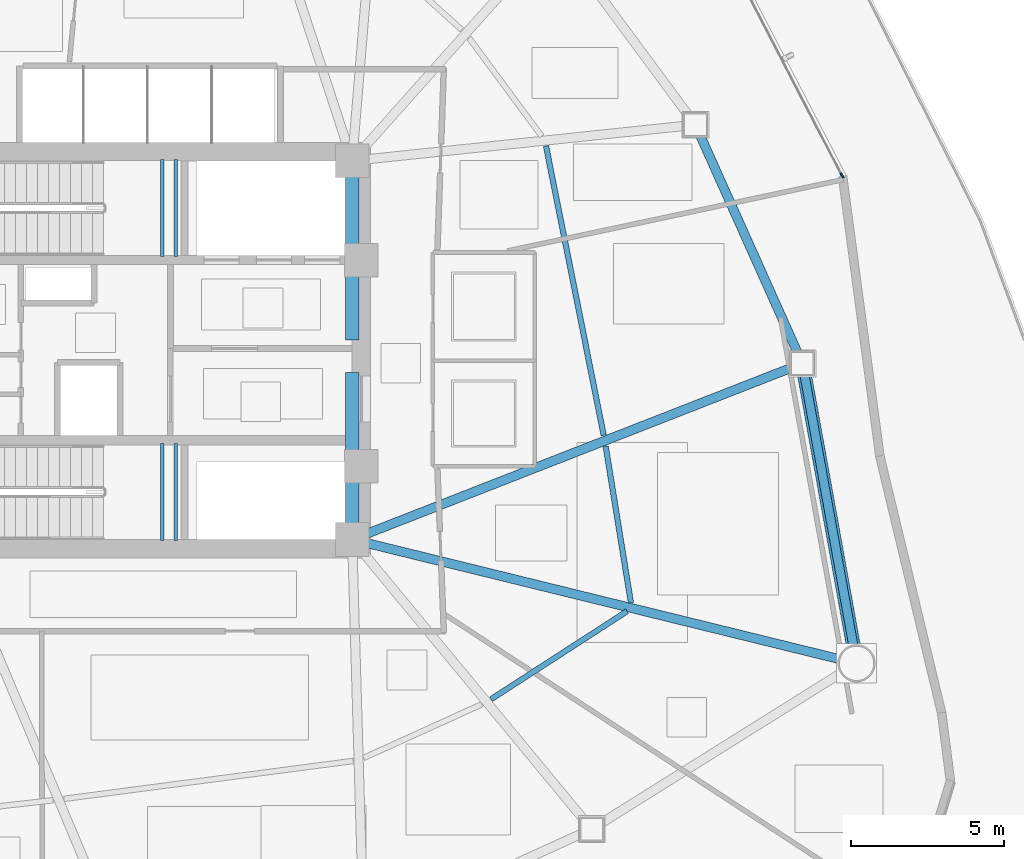
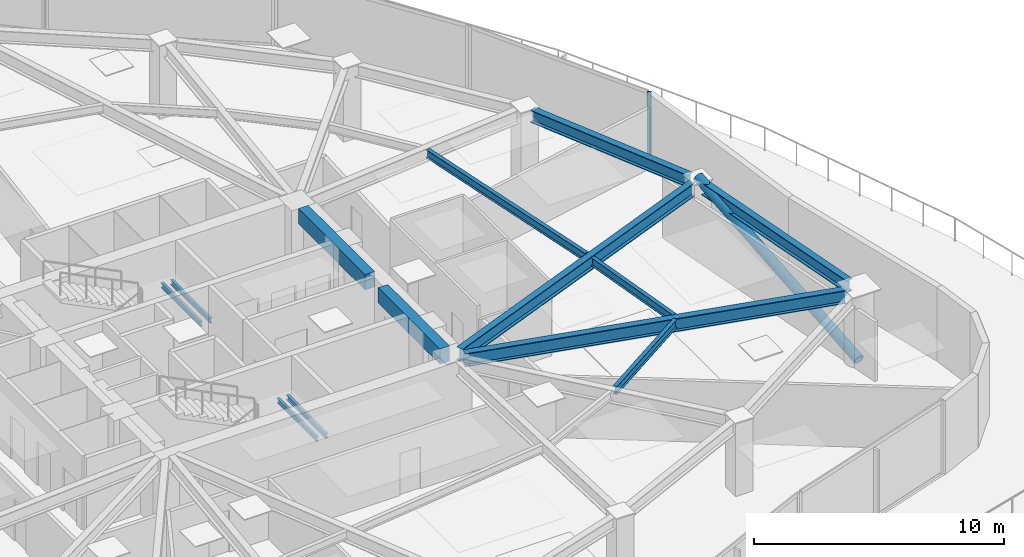
# One storey, part 6 of 19: 13 beams, 2 members, 1 element without a shape of its own.
"""IFC4 building model written with IfcOpenShell, lengths in metres."""

import ifcopenshell
import ifcopenshell.guid

model = None  # the IFC model being written
_history = None  # IfcOwnerHistory: only IFC2X3 demands one
_inside = {}  # id of a spatial element -> (the spatial element, [elements in it])
_under = {}  # id of a project, library or spatial element -> (it, [spatial elements below it])
_declared = {}  # id of a project -> (the project, [libraries it declares])
_typed = {}  # id of a type object -> (the type object, [elements of that type])
_made_of = {}  # id of a material, layer set ... -> (it, [elements and type objects made of it])


def new_model(schema):
    """Start an empty IFC model of exactly this schema.

    Asked for "IFC4X3", IfcOpenShell would pick the latest addendum, in which some entities
    have other attributes; the version numbers below select the first issue.
    IFC2X3 requires an IfcOwnerHistory on every rooted entity: one is made here for all.
    """
    global model, _history
    if schema == "IFC4X3":
        model = ifcopenshell.file(schema_version=(4, 3, 0, 0))
    else:
        model = ifcopenshell.file(schema=schema)
    _inside.clear()
    _under.clear()
    _declared.clear()
    _typed.clear()
    _made_of.clear()
    _history = None
    if model.schema == "IFC2X3":
        org = make("IfcOrganization", Name="unknown")
        user = make(
            "IfcPersonAndOrganization",
            ThePerson=make("IfcPerson", FamilyName="unknown"),
            TheOrganization=org,
        )
        app = make(
            "IfcApplication",
            ApplicationDeveloper=org,
            Version="unknown",
            ApplicationFullName="unknown",
            ApplicationIdentifier="unknown",
        )
        _history = make(
            "IfcOwnerHistory",
            OwningUser=user,
            OwningApplication=app,
            ChangeAction="ADDED",
            CreationDate=0,
        )
    return model


def make(cls, **values):
    """One entity of the class cls with the attributes given. An attribute that is None is left unset."""
    return model.create_entity(
        cls, **{name: value for name, value in values.items() if value is not None}
    )


def rooted(cls, **values):
    """An entity with a GlobalId (a new one), such as an element, a storey or a relation."""
    return make(cls, GlobalId=ifcopenshell.guid.new(), OwnerHistory=_history, **values)


def si_unit(unit_type, name, prefix=None):
    """IfcSIUnit, for example si_unit("LENGTHUNIT", "METRE", prefix="MILLI")."""
    return make("IfcSIUnit", UnitType=unit_type, Prefix=prefix, Name=name)


def assignment(units):
    """IfcUnitAssignment: the units of a project."""
    return None if units is None else make("IfcUnitAssignment", Units=units)


def point(xyz):
    """IfcCartesianPoint."""
    return None if xyz is None else make("IfcCartesianPoint", Coordinates=xyz)


def direction(xyz):
    """IfcDirection."""
    return None if xyz is None else make("IfcDirection", DirectionRatios=xyz)


def frame(location, z_axis=None, x_axis=None):
    """IfcAxis2Placement3D, a coordinate frame: its origin and axes. An axis left out is left unset."""
    return make(
        "IfcAxis2Placement3D",
        Location=point(location),
        Axis=direction(z_axis),
        RefDirection=direction(x_axis),
    )


def frame_2d(location, x_axis=None):
    """IfcAxis2Placement2D, a coordinate frame in the plane: its origin and x axis."""
    return make(
        "IfcAxis2Placement2D", Location=point(location), RefDirection=direction(x_axis)
    )


def origin():
    """The frame at (0, 0, 0) with its axes left unset."""
    return frame((0.0, 0.0, 0.0))


def origin_2d():
    """The frame at (0, 0) in the plane with its x axis left unset."""
    return frame_2d((0.0, 0.0))


def place(relative_to, where):
    """IfcLocalPlacement: puts the frame where relative to a parent placement (None: the world)."""
    return make(
        "IfcLocalPlacement", PlacementRelTo=relative_to, RelativePlacement=where
    )


def context(
    kind, dimensions, precision=None, world=None, true_north=None, identifier=None
):
    """IfcGeometricRepresentationContext, for example the 3D "Model" context."""
    return make(
        "IfcGeometricRepresentationContext",
        ContextIdentifier=identifier,
        ContextType=kind,
        CoordinateSpaceDimension=dimensions,
        Precision=precision,
        WorldCoordinateSystem=world,
        TrueNorth=true_north,
    )


def subcontext(parent, identifier, kind, view, scale=None):
    """IfcGeometricRepresentationSubContext, for example "Body" below "Model"."""
    return make(
        "IfcGeometricRepresentationSubContext",
        ContextIdentifier=identifier,
        ContextType=kind,
        ParentContext=parent,
        TargetScale=scale,
        TargetView=view,
    )


def project(units=None, contexts=None):
    """IfcProject with its units and contexts."""
    return rooted(
        "IfcProject",
        Name="project",
        RepresentationContexts=contexts,
        UnitsInContext=assignment(units),
    )


def spatial(cls, under=None, at=None, **own):
    """A site, building, storey or space (cls), placed at a placement, below another one or the project."""
    s = rooted(cls, ObjectPlacement=at, **own)
    if under is not None:
        _under.setdefault(under.id(), (under, []))[1].append(s)
    return s


def profile(cls, at=None, kind="AREA", **sizes):
    """A parametric profile (cls). Its sizes go by their IFC names, for example OverallWidth=200.0."""
    return make(cls, ProfileType=kind, Position=at, **sizes)


def rectangle(**sizes):
    """IfcRectangleProfileDef."""
    return profile("IfcRectangleProfileDef", **sizes)


def hollow_rectangle(**sizes):
    """IfcRectangleHollowProfileDef."""
    return profile("IfcRectangleHollowProfileDef", **sizes)


def hollow_circle(**sizes):
    """IfcCircleHollowProfileDef."""
    return profile("IfcCircleHollowProfileDef", **sizes)


def i_section(**sizes):
    """IfcIShapeProfileDef."""
    return profile("IfcIShapeProfileDef", **sizes)


def extrude(swept, where, along, depth):
    """IfcExtrudedAreaSolid: the profile swept, set in the frame where, extruded along a direction by depth."""
    return make(
        "IfcExtrudedAreaSolid",
        SweptArea=swept,
        Position=where,
        ExtrudedDirection=direction(along),
        Depth=depth,
    )


def shape(context_of_items, identifier, shape_type, items):
    """IfcShapeRepresentation: the items that make up one representation, for example the "Body"."""
    return make(
        "IfcShapeRepresentation",
        ContextOfItems=context_of_items,
        RepresentationIdentifier=identifier,
        RepresentationType=shape_type,
        Items=items,
    )


def source(mapping_origin, context_of_items, identifier, shape_type, items):
    """IfcRepresentationMap: a shape defined once, which mapped items show again and again."""
    return make(
        "IfcRepresentationMap",
        MappingOrigin=mapping_origin,
        MappedRepresentation=shape(context_of_items, identifier, shape_type, items),
    )


def transform(
    local_origin,
    x_axis=None,
    y_axis=None,
    z_axis=None,
    scale=None,
    scale2=None,
    scale3=None,
    uniform=True,
):
    """IfcCartesianTransformationOperator3D, or its non-uniform kind. x_axis, y_axis, z_axis: its Axis1, 2, 3."""
    if uniform:
        return make(
            "IfcCartesianTransformationOperator3D",
            Axis1=direction(x_axis),
            Axis2=direction(y_axis),
            LocalOrigin=point(local_origin),
            Scale=scale,
            Axis3=direction(z_axis),
        )
    return make(
        "IfcCartesianTransformationOperator3DnonUniform",
        Axis1=direction(x_axis),
        Axis2=direction(y_axis),
        LocalOrigin=point(local_origin),
        Scale=scale,
        Axis3=direction(z_axis),
        Scale2=scale2,
        Scale3=scale3,
    )


def mapped(mapping_source, mapping_target):
    """IfcMappedItem: shows the shape of a source again, moved by a transform."""
    return make(
        "IfcMappedItem", MappingSource=mapping_source, MappingTarget=mapping_target
    )


def material(Name=None, Category=None):
    """IfcMaterial."""
    return make("IfcMaterial", Name=Name, Category=Category)


def layer(
    of_material, thickness, ventilated=None, Name=None, Category=None, Priority=None
):
    """IfcMaterialLayer: one layer of a wall or slab, of a material (None: an air gap)."""
    return make(
        "IfcMaterialLayer",
        Material=of_material,
        LayerThickness=thickness,
        IsVentilated=ventilated,
        Name=Name,
        Category=Category,
        Priority=Priority,
    )


def layer_set(layers, Name=None):
    """IfcMaterialLayerSet."""
    return make("IfcMaterialLayerSet", MaterialLayers=layers, LayerSetName=Name)


def material_profile(
    of_material, cross_section, Name=None, Category=None, Priority=None
):
    """IfcMaterialProfile: a cross section and its material."""
    return make(
        "IfcMaterialProfile",
        Name=Name,
        Material=of_material,
        Profile=cross_section,
        Priority=Priority,
        Category=Category,
    )


def profile_set(profiles, Name=None, composite=None):
    """IfcMaterialProfileSet."""
    return make(
        "IfcMaterialProfileSet",
        Name=Name,
        MaterialProfiles=profiles,
        CompositeProfile=composite,
    )


def made_of(thing, what):
    """Note that an element or type object is made of a material, layer set ...; save() writes the relation."""
    if what is not None:
        _made_of.setdefault(what.id(), (what, []))[1].append(thing)
    return thing


def type_object(cls, material=None, **own):
    """A type object (cls), such as IfcWallType, which elements share."""
    return made_of(rooted(cls, **own), material)


def type_shapes(of_type, sources):
    """Give a type object the sources (RepresentationMaps) that its elements show as mapped items."""
    of_type.RepresentationMaps = sources


def element(
    cls,
    number,
    at=None,
    inside=None,
    cuts=None,
    type_object=None,
    material=None,
    context=None,
    identifier="Body",
    shape_type=None,
    held_by="IfcProductDefinitionShape",
    body=None,
    shapes=None,
    **own,
):
    """One element of the class cls, such as IfcWall. Its Tag is "e" and its number.

    at: its placement. inside: the storey or other place that contains it. cuts: it is an
    opening in that element (IfcRelVoidsElement). A single representation is given by context,
    identifier, shape_type and body (its items); several are given by shapes. held_by: the class
    of the entity that holds the representations. save() writes the other relations.
    """
    e = rooted(cls, Tag="e%d" % number, ObjectPlacement=at, **own)
    if body is not None:
        shapes = [shape(context, identifier, shape_type, body)]
    if shapes is not None:
        e.Representation = make(held_by, Representations=shapes)
    if inside is not None:
        _inside.setdefault(inside.id(), (inside, []))[1].append(e)
    if cuts is not None:
        rooted(
            "IfcRelVoidsElement", RelatingBuildingElement=cuts, RelatedOpeningElement=e
        )
    if type_object is not None:
        _typed.setdefault(type_object.id(), (type_object, []))[1].append(e)
    return made_of(e, material)


def aggregate(whole, parts):
    """IfcRelAggregates: a whole, such as a stair, and the parts it consists of."""
    return rooted("IfcRelAggregates", RelatingObject=whole, RelatedObjects=parts)


def save(model, path):
    """Write the relations noted so far, then the file.

    IfcRelAggregates (storeys below a building ...), IfcRelContainedInSpatialStructure (elements
    in a storey), IfcRelDefinesByType, IfcRelAssociatesMaterial and IfcRelDeclares: one each for
    every whole, place, type object, material and project.
    """
    for whole, parts in _under.values():
        aggregate(whole, parts)
    for where, things in _inside.values():
        rooted(
            "IfcRelContainedInSpatialStructure",
            RelatedElements=things,
            RelatingStructure=where,
        )
    for kind, things in _typed.values():
        rooted("IfcRelDefinesByType", RelatedObjects=things, RelatingType=kind)
    for what, things in _made_of.values():
        rooted("IfcRelAssociatesMaterial", RelatedObjects=things, RelatingMaterial=what)
    for by, libraries in _declared.values():
        rooted("IfcRelDeclares", RelatingContext=by, RelatedDefinitions=libraries)
    model.write(path)


model = new_model("IFC4")

# Units and contexts
model_context = context("Model", 3, precision=1e-05, world=origin(), true_north=direction((0.0, 1.0)))
body_context = subcontext(model_context, "Body", "Model", "MODEL_VIEW")
ifc_project = project(units=[si_unit("LENGTHUNIT", "METRE"), si_unit("AREAUNIT", "SQUARE_METRE"), si_unit("VOLUMEUNIT", "CUBIC_METRE"), si_unit("PLANEANGLEUNIT", "RADIAN"), si_unit("MASSUNIT", "GRAM", prefix="KILO")], contexts=[model_context])

# Site, building, storey
site_placement = place(None, origin())
site = spatial("IfcSite", under=ifc_project, at=site_placement, CompositionType="ELEMENT")
building_placement = place(site_placement, origin())
building = spatial("IfcBuilding", under=site, at=building_placement, Name="Tavelor Broadcast Tower", CompositionType="ELEMENT")
storey_placement = place(building_placement, frame((0.0, 0.0, 27.60009765625)))
storey = spatial("IfcBuildingStorey", under=building, at=storey_placement, Name="L05", CompositionType="ELEMENT", Elevation=27.60009765625)

# Beams
ifc_material_1 = material(Name="Concrete C40/50", Category="concrete")
ifc_material_profile_1 = material_profile(ifc_material_1, rectangle(XDim=0.449951171875, YDim=0.75, at=origin_2d()), Name="RC 450x750")
ifc_profile_set_1 = profile_set([ifc_material_profile_1], Name="Concrete C40/50")
beam_type_1 = type_object("IfcBeamType", Name="Basement Core Trim Beam 450x750", PredefinedType="BEAM", material=ifc_profile_set_1)
beam_1_placement = place(storey_placement, frame((56.60009765625, 45.327880859375, 3.224853515625), z_axis=(0.0, 1.0, 0.0), x_axis=(-1.0, 0.0, 0.0)))
element("IfcBeam", 1, at=beam_1_placement, inside=storey, type_object=beam_type_1, Name="L05 Core East-N Tie Girder", PredefinedType="BEAM", context=body_context, shape_type="SweptSolid", body=[
    extrude(rectangle(XDim=0.449951171875, YDim=0.75, at=origin_2d()), origin(), (0.0, 0.0, 1.0), 5.34423828125),
])
beam_2_placement = place(storey_placement, frame((56.60009765625, 39.327880859375, 3.224853515625), z_axis=(0.0, 1.0, 0.0), x_axis=(-1.0, 0.0, 0.0)))
element("IfcBeam", 2, at=beam_2_placement, inside=storey, type_object=beam_type_1, Name="L05 Core East-S Tie Girder", PredefinedType="BEAM", context=body_context, shape_type="SweptSolid", body=[
    extrude(rectangle(XDim=0.449951171875, YDim=0.75, at=origin_2d()), origin(), (0.0, 0.0, 1.0), 4.944091796875),
])
ifc_material_2 = material(Name="Steel S355", Category="steel")
ifc_material_profile_2 = material_profile(ifc_material_2, i_section(OverallWidth=0.179931640625, OverallDepth=0.39990234375, WebThickness=0.008544921875, FlangeThickness=0.013427734375, at=origin_2d()), Name="IPE 400")
ifc_profile_set_2 = profile_set([ifc_material_profile_2], Name="Steel S355")
beam_type_2 = type_object("IfcBeamType", Name="Composite Floor Joist T1 IPE 400", PredefinedType="JOIST", material=ifc_profile_set_2)
beam_3_placement = place(storey_placement, frame((61.1552734375, 33.573486328125, 3.39990234375), z_axis=(0.839582514508, 0.543232179949, 0.0), x_axis=(-0.543232179949, 0.839582514508, 0.0)))
element("IfcBeam", 3, at=beam_3_placement, inside=storey, type_object=beam_type_2, Name="L05 Secondary Composite Floor Joist 12", PredefinedType="JOIST", context=body_context, shape_type="SweptSolid", body=[
    extrude(i_section(OverallWidth=0.179931640625, OverallDepth=0.39990234375, WebThickness=0.008544921875, FlangeThickness=0.013427734375, at=origin_2d()), origin(), (0.0, 0.0, 1.0), 5.300537109375),
])
beam_4_placement = place(storey_placement, frame((65.728515625, 36.72998046875, 3.39990234375), z_axis=(-0.159264963379, 0.987235874267, 0.0), x_axis=(-0.987235874267, -0.159264963379, 0.0)))
element("IfcBeam", 4, at=beam_4_placement, inside=storey, type_object=beam_type_2, Name="L05 Secondary Composite Floor Joist 13", PredefinedType="JOIST", context=body_context, shape_type="SweptSolid", body=[
    extrude(i_section(OverallWidth=0.179931640625, OverallDepth=0.39990234375, WebThickness=0.008544921875, FlangeThickness=0.013427734375, at=origin_2d()), origin(), (0.0, 0.0, 1.0), 5.19189453125),
])
beam_5_placement = place(storey_placement, frame((64.83740234375, 42.2119140625, 3.39990234375), z_axis=(-0.195615567929, 0.980680656271, 0.0), x_axis=(-0.980680656271, -0.195615567929, 0.0)))
element("IfcBeam", 5, at=beam_5_placement, inside=storey, type_object=beam_type_2, Name="L05 Secondary Composite Floor Joist 14", PredefinedType="JOIST", context=body_context, shape_type="SweptSolid", body=[
    extrude(i_section(OverallWidth=0.179931640625, OverallDepth=0.39990234375, WebThickness=0.008544921875, FlangeThickness=0.013427734375, at=origin_2d()), origin(), (0.0, 0.0, 1.0), 9.661376953125),
])
ifc_material_profile_3 = material_profile(ifc_material_2, i_section(OverallWidth=0.300048828125, OverallDepth=0.60009765625, WebThickness=0.015380859375, FlangeThickness=0.030029296875, at=origin_2d()), Name="HEB 600")
ifc_profile_set_3 = profile_set([ifc_material_profile_3], Name="Steel S355")
beam_type_3 = type_object("IfcBeamType", Name="Perimeter Spandrel Beam T1 HEB 600", PredefinedType="SPANDREL", material=ifc_profile_set_3)
beam_6_placement = place(storey_placement, frame((73.013916015625, 35.31982421875, 3.2998046875), z_axis=(-0.177745578839, 0.984076475282, 0.0), x_axis=(-0.984076475282, -0.177745578839, 0.0)))
element("IfcBeam", 6, at=beam_6_placement, inside=storey, type_object=beam_type_3, Name="L05 Framed-Tube Ring Spandrel 13", PredefinedType="SPANDREL", context=body_context, shape_type="SweptSolid", body=[
    extrude(i_section(OverallWidth=0.300048828125, OverallDepth=0.60009765625, WebThickness=0.015380859375, FlangeThickness=0.030029296875, at=origin_2d()), origin(), (0.0, 0.0, 1.0), 9.010498046875),
])
beam_7_placement = place(storey_placement, frame((71.18701171875, 44.9150390625, 3.2998046875), z_axis=(-0.40892197507, 0.912569349861, 0.0), x_axis=(-0.912569349861, -0.40892197507, 0.0)))
element("IfcBeam", 7, at=beam_7_placement, inside=storey, type_object=beam_type_3, Name="L05 Framed-Tube Ring Spandrel 14", PredefinedType="SPANDREL", context=body_context, shape_type="SweptSolid", body=[
    extrude(i_section(OverallWidth=0.300048828125, OverallDepth=0.60009765625, WebThickness=0.015380859375, FlangeThickness=0.030029296875, at=origin_2d()), origin(), (0.0, 0.0, 1.0), 7.799072265625),
])

# Member
ifc_material_profile_4 = material_profile(ifc_material_2, hollow_circle(Radius=0.228515625, WallThickness=0.02001953125, at=origin_2d()), Name="CHS 457x20")
ifc_profile_set_4 = profile_set([ifc_material_profile_4], Name="Steel S355")
member_type_1 = type_object("IfcMemberType", Name="Perimeter Tube Brace T1 CHS 457x20", PredefinedType="BRACE", material=ifc_profile_set_4)
member_1_placement = place(storey_placement, frame((73.117919921875, 34.743896484375, 0.0), z_axis=(-0.167207286332, 0.925692306634, 0.339316190059), x_axis=(-0.984075144607, -0.177752945874, 0.0)))
element("IfcMember", 8, at=member_1_placement, inside=storey, type_object=member_type_1, Name="L05 Corner Tube Diagonal Brace 3", PredefinedType="BRACE", context=body_context, shape_type="SweptSolid", body=[
    extrude(hollow_circle(Radius=0.228515625, WallThickness=0.02001953125, at=origin_2d()), origin(), (0.0, 0.0, 1.0), 10.609130859375),
])

# Beams
ifc_material_profile_5 = material_profile(ifc_material_2, i_section(OverallWidth=0.300048828125, OverallDepth=0.64990234375, WebThickness=0.01611328125, FlangeThickness=0.031005859375, at=origin_2d()), Name="HEB 650")
ifc_profile_set_5 = profile_set([ifc_material_profile_5], Name="Steel S355")
beam_type_4 = type_object("IfcBeamType", Name="Radial Floor Girder T1 HEB 650", PredefinedType="BEAM", material=ifc_profile_set_5)
beam_8_placement = place(storey_placement, frame((57.11279296875, 38.674072265625, 3.27490234375), z_axis=(0.971150402203, -0.23846780978, 0.0), x_axis=(0.23846780978, 0.971150402203, 0.0)))
element("IfcBeam", 9, at=beam_8_placement, inside=storey, type_object=beam_type_4, Name="L05 Radial Primary Floor Girder 13", PredefinedType="BEAM", context=body_context, shape_type="SweptSolid", body=[
    extrude(i_section(OverallWidth=0.300048828125, OverallDepth=0.64990234375, WebThickness=0.01611328125, FlangeThickness=0.031005859375, at=origin_2d()), origin(), (0.0, 0.0, 1.0), 15.895263671875),
])
beam_9_placement = place(storey_placement, frame((57.091796875, 38.9921875, 3.27490234375), z_axis=(0.931344390249, 0.364139570429, 0.0), x_axis=(-0.364139570429, 0.931344390249, 0.0)))
element("IfcBeam", 10, at=beam_9_placement, inside=storey, type_object=beam_type_4, Name="L05 Radial Primary Floor Girder 14", PredefinedType="BEAM", context=body_context, shape_type="SweptSolid", body=[
    extrude(i_section(OverallWidth=0.300048828125, OverallDepth=0.64990234375, WebThickness=0.01611328125, FlangeThickness=0.031005859375, at=origin_2d()), origin(), (0.0, 0.0, 1.0), 14.9189453125),
])
ifc_material_profile_6 = material_profile(ifc_material_2, i_section(OverallWidth=0.1201171875, OverallDepth=0.239990234375, WebThickness=0.006103515625, FlangeThickness=0.009765625, at=origin_2d()), Name="IPE 240")
ifc_profile_set_6 = profile_set([ifc_material_profile_6], Name="Steel S355")
beam_type_5 = type_object("IfcBeamType", Name="Stairwell Landing Support Trimmer Beam IPE240", PredefinedType="BEAM", material=ifc_profile_set_6)
for number, where, z_axis, x_axis, name in (
    (11, (50.385009765625, 48.06005859375, 1.635009765625), (0.0, 1.0, 0.0), (-1.0, 0.0, 0.0), "L05 Stair Landing Support Beam 35"),
    (12, (50.824951171875, 48.06005859375, 1.635009765625), (0.0, 1.0, 0.0), (-1.0, 0.0, 0.0), "L05 Stair Landing Support Beam 36"),
    (13, (50.385009765625, 38.760009765625, 1.635009765625), (0.0, 1.0, 0.0), (-1.0, 0.0, 0.0), "L05 Stair Landing Support Beam 249"),
    (14, (50.824951171875, 38.760009765625, 1.635009765625), (0.0, 1.0, 0.0), (-1.0, 0.0, 0.0), "L05 Stair Landing Support Beam 250"),
):
    element("IfcBeam", number, at=place(storey_placement, frame(where, z_axis=z_axis, x_axis=x_axis)), inside=storey, type_object=beam_type_5, Name=name, PredefinedType="BEAM", context=body_context, shape_type="SweptSolid", body=[
        extrude(i_section(OverallWidth=0.1201171875, OverallDepth=0.239990234375, WebThickness=0.006103515625, FlangeThickness=0.009765625, at=origin_2d()), origin(), (0.0, 0.0, 1.0), 3.179931640625),
    ])

# Curtain wall, member
ifc_material_3 = material(Name="Architectural Anodized Aluminium", Category="aluminium")
ifc_layer = layer(ifc_material_3, 0.179931640625)
ifc_layer_set = layer_set([ifc_layer], Name="Architectural Anodized Aluminium")
curtain_wall_type = type_object("IfcCurtainWallType", Name="Tower Low-Zone Unitised Curtain Wall CW02", PredefinedType="NOTDEFINED", material=ifc_layer_set)
curtain_wall_placement = place(storey_placement, origin())
curtain_wall = element("IfcCurtainWall", 15, at=curtain_wall_placement, inside=storey, type_object=curtain_wall_type, Name="L05 Curtain Wall CW02 Run 21", PredefinedType="NOTDEFINED")
ifc_material_profile_7 = material_profile(ifc_material_3, hollow_rectangle(XDim=0.06494140625, YDim=0.179931640625, WallThickness=0.02197265625, at=origin_2d()), Name="RHS 65x180x22")
ifc_profile_set_7 = profile_set([ifc_material_profile_7], Name="Architectural Anodized Aluminium")
member_type_2 = type_object("IfcMemberType", Name="CW02 Extruded Aluminium Mullion 65x180", PredefinedType="MULLION", material=ifc_profile_set_7)
shared_shape = source(origin(), body_context, "Body", "SweptSolid", [
    extrude(hollow_rectangle(XDim=0.06494140625, YDim=0.179931640625, WallThickness=0.02197265625, at=origin_2d()), origin(), (0.0, 0.0, 1.0), 3.599853515625),
])
type_shapes(member_type_2, [shared_shape])
member_2_placement = place(storey_placement, frame((72.64501953125, 50.71875, 0.0), z_axis=(0.0, 0.0, 1.0), x_axis=(-0.887618166095, -0.46058005951, 0.0)))
member_2 = element("IfcMember", 16, at=member_2_placement, type_object=member_type_2, Name="CW02 mullion 1", PredefinedType="MULLION", context=body_context, shape_type="MappedRepresentation", body=[
    mapped(shared_shape, transform((0.0, 0.0, 0.0), scale=1.0)),
])
aggregate(curtain_wall, [member_2])

save(model, "model.ifc")
